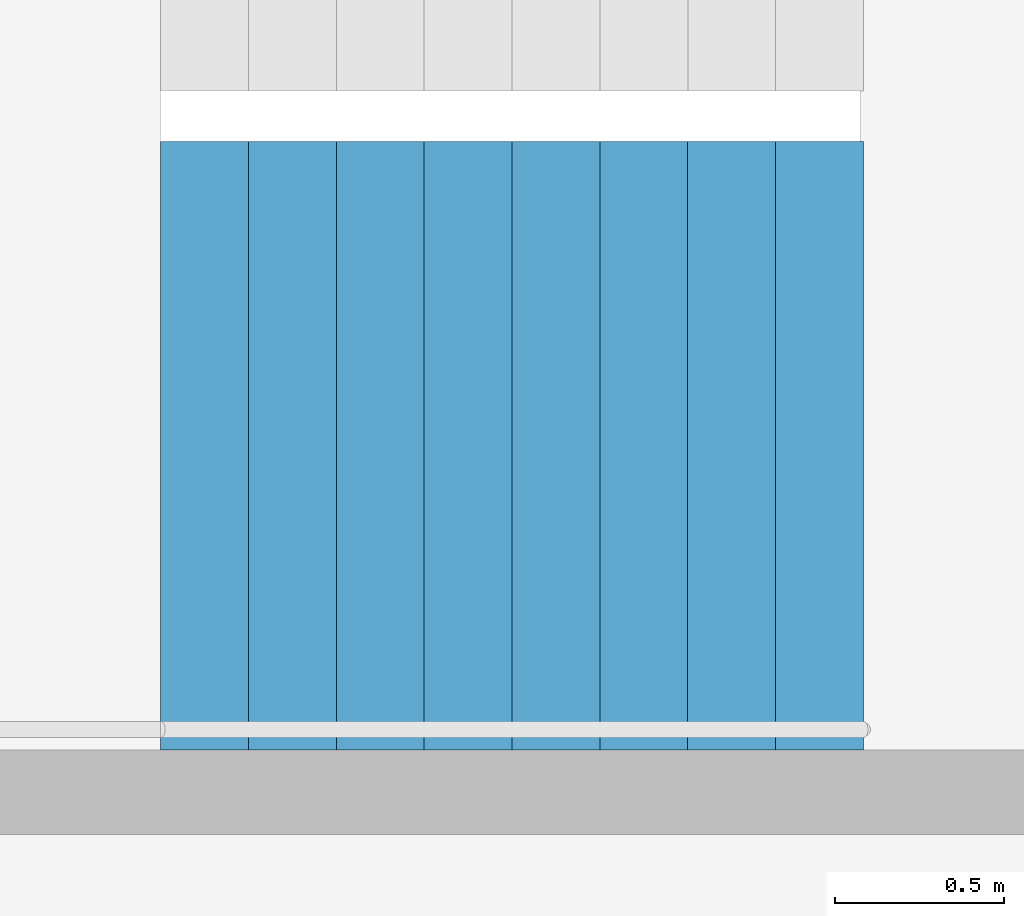
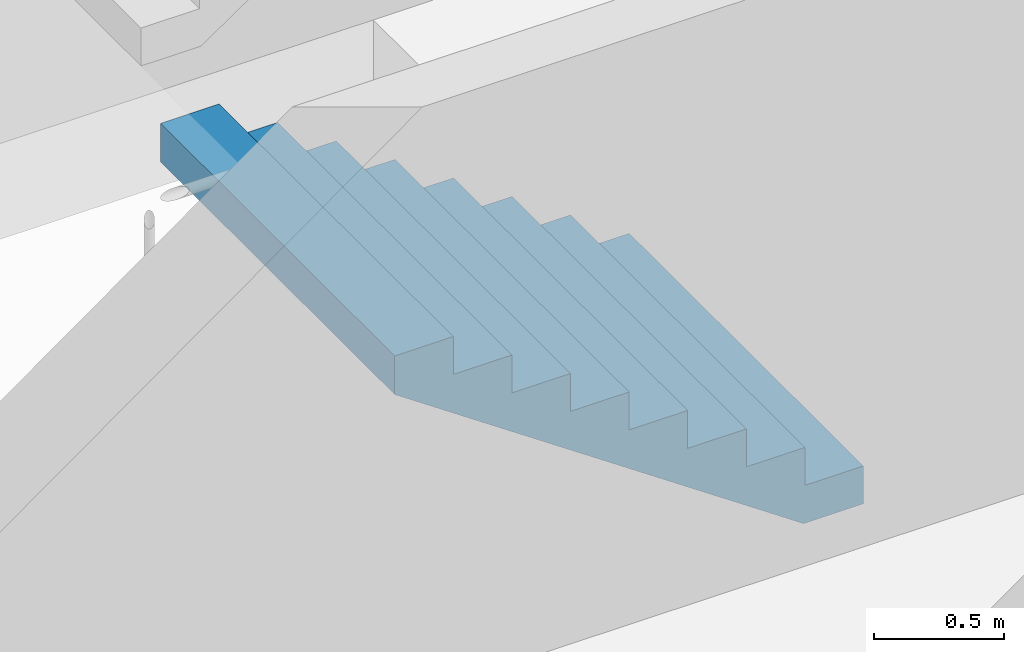
# One storey, part 24 of 26: 1 stair flight, 1 element without a shape of its own.
"""IFC4 building model written with IfcOpenShell, lengths in metres."""

from ifc_helpers import new_model, si_unit, direction, frame, origin, place, context, subcontext, project, spatial, triangles, material, type_object, element, aggregate, save


model = new_model("IFC4")

# Units and contexts
model_context = context("Model", 3, precision=1e-05, world=origin(), true_north=direction((0.0, 1.0)))
body_context = subcontext(model_context, "Body", "Model", "MODEL_VIEW")
ifc_project = project(units=[si_unit("LENGTHUNIT", "METRE"), si_unit("AREAUNIT", "SQUARE_METRE"), si_unit("VOLUMEUNIT", "CUBIC_METRE"), si_unit("PLANEANGLEUNIT", "RADIAN"), si_unit("MASSUNIT", "GRAM", prefix="KILO")], contexts=[model_context])

# Site, building, storey
site_placement = place(None, origin())
site = spatial("IfcSite", under=ifc_project, at=site_placement, CompositionType="ELEMENT")
building_placement = place(site_placement, origin())
building = spatial("IfcBuilding", under=site, at=building_placement, Name="Hakoniwa Tower and Hamabe Station Hall", CompositionType="ELEMENT")
storey_placement = place(building_placement, frame((0.0, 0.0, 199.39990234375)))
storey = spatial("IfcBuildingStorey", under=building, at=storey_placement, Name="L56", CompositionType="ELEMENT", Elevation=199.39990234375)

# Stair, stair flight
ifc_material_1 = material(Name="Concrete C40", Category="concrete")
stair_type = type_object("IfcStairType", Name="ESCAPE STAIR 1800", PredefinedType="HALF_TURN_STAIR", material=ifc_material_1)
stair_placement = place(storey_placement, origin())
stair = element("IfcStair", 1, at=stair_placement, inside=storey, type_object=stair_type, Name="Escape stair ST-3 L56", PredefinedType="HALF_TURN_STAIR")
ifc_material_2 = material(Name="Concrete C40", Category="concrete")
stair_flight_type = type_object("IfcStairFlightType", Name="STAIR FLIGHT 1800", PredefinedType="STRAIGHT", material=ifc_material_2)
stair_flight_placement = place(storey_placement, frame((24.39990234375, 4.64990234375, 0.0), z_axis=(0.0, 0.0, 1.0), x_axis=(-1.0, 0.0, 0.0)))
stair_flight = element("IfcStairFlight", 2, at=stair_flight_placement, type_object=stair_flight_type, Name="ST-3 flight 1", NumberOfRisers=9, NumberOfTreads=8, PredefinedType="STRAIGHT", RiserHeight=0.177777778, TreadLength=0.26, context=body_context, shape_type="Tessellation", body=[
    triangles([(0.0, 0.89990234375, 0.0), (0.260009765625, 0.89990234375, 0.0), (0.265625, 0.89990234375, 0.0), (0.52001953125, 0.89990234375, 0.174072265625), (0.780029296875, 0.89990234375, 0.351806640625), (1.0400390625, 0.89990234375, 0.529541015625), (1.300048828125, 0.89990234375, 0.707275390625), (1.56005859375, 0.89990234375, 0.885009765625), (1.820068359375, 0.89990234375, 1.062744140625), (2.080078125, 0.89990234375, 1.24072265625), (2.080078125, 0.89990234375, 1.422119140625), (1.820068359375, 0.89990234375, 1.422119140625), (1.820068359375, 0.89990234375, 1.244384765625), (1.56005859375, 0.89990234375, 1.244384765625), (1.56005859375, 0.89990234375, 1.066650390625), (1.300048828125, 0.89990234375, 1.066650390625), (1.300048828125, 0.89990234375, 0.888916015625), (1.0400390625, 0.89990234375, 0.888916015625), (1.0400390625, 0.89990234375, 0.711181640625), (0.780029296875, 0.89990234375, 0.711181640625), (0.780029296875, 0.89990234375, 0.533447265625), (0.52001953125, 0.89990234375, 0.533447265625), (0.52001953125, 0.89990234375, 0.35546875), (0.265625, 0.89990234375, 0.35546875), (0.260009765625, 0.89990234375, 0.35546875), (0.260009765625, 0.89990234375, 0.177734375), (0.0, 0.89990234375, 0.177734375), (0.0, 0.06005859375, 0.0), (0.260009765625, 0.06005859375, 0.0), (0.265625, 0.06005859375, 0.0), (0.52001953125, 0.06005859375, 0.174072265625), (0.780029296875, 0.06005859375, 0.351806640625), (1.0400390625, 0.06005859375, 0.529541015625), (1.300048828125, 0.06005859375, 0.707275390625), (1.56005859375, 0.06005859375, 0.885009765625), (1.820068359375, 0.06005859375, 1.062744140625), (2.080078125, 0.06005859375, 1.24072265625), (2.080078125, 0.06005859375, 1.422119140625), (1.820068359375, 0.06005859375, 1.422119140625), (1.820068359375, 0.06005859375, 1.244384765625), (1.56005859375, 0.06005859375, 1.244384765625), (1.56005859375, 0.06005859375, 1.066650390625), (1.300048828125, 0.06005859375, 1.066650390625), (1.300048828125, 0.06005859375, 0.888916015625), (1.0400390625, 0.06005859375, 0.888916015625), (1.0400390625, 0.06005859375, 0.711181640625), (0.780029296875, 0.06005859375, 0.711181640625), (0.780029296875, 0.06005859375, 0.533447265625), (0.52001953125, 0.06005859375, 0.533447265625), (0.52001953125, 0.06005859375, 0.35546875), (0.265625, 0.06005859375, 0.35546875), (0.260009765625, 0.06005859375, 0.35546875), (0.260009765625, 0.06005859375, 0.177734375), (0.0, 0.06005859375, 0.177734375), (0.0, 0.04296875, 0.0), (0.260009765625, 0.04296875, 0.0), (0.265625, 0.04296875, 0.0), (0.52001953125, 0.04296875, 0.174072265625), (0.780029296875, 0.04296875, 0.351806640625), (1.0400390625, 0.04296875, 0.529541015625), (1.300048828125, 0.04296875, 0.707275390625), (1.56005859375, 0.04296875, 0.885009765625), (1.820068359375, 0.04296875, 1.062744140625), (2.080078125, 0.04296875, 1.24072265625), (2.080078125, 0.04296875, 1.422119140625), (1.820068359375, 0.04296875, 1.422119140625), (1.820068359375, 0.04296875, 1.244384765625), (1.56005859375, 0.04296875, 1.244384765625), (1.56005859375, 0.04296875, 1.066650390625), (1.300048828125, 0.04296875, 1.066650390625), (1.300048828125, 0.04296875, 0.888916015625), (1.0400390625, 0.04296875, 0.888916015625), (1.0400390625, 0.04296875, 0.711181640625), (0.780029296875, 0.04296875, 0.711181640625), (0.780029296875, 0.04296875, 0.533447265625), (0.52001953125, 0.04296875, 0.533447265625), (0.52001953125, 0.04296875, 0.35546875), (0.265625, 0.04296875, 0.35546875), (0.260009765625, 0.04296875, 0.35546875), (0.260009765625, 0.04296875, 0.177734375), (0.0, 0.04296875, 0.177734375), (0.0, 0.025634765625, 0.0), (0.260009765625, 0.025634765625, 0.0), (0.265625, 0.025634765625, 0.0), (0.52001953125, 0.025634765625, 0.174072265625), (0.780029296875, 0.025634765625, 0.351806640625), (1.0400390625, 0.025634765625, 0.529541015625), (1.300048828125, 0.025634765625, 0.707275390625), (1.56005859375, 0.025634765625, 0.885009765625), (1.820068359375, 0.025634765625, 1.062744140625), (2.080078125, 0.025634765625, 1.24072265625), (2.080078125, 0.025634765625, 1.422119140625), (1.820068359375, 0.025634765625, 1.422119140625), (1.820068359375, 0.025634765625, 1.244384765625), (1.56005859375, 0.025634765625, 1.244384765625), (1.56005859375, 0.025634765625, 1.066650390625), (1.300048828125, 0.025634765625, 1.066650390625), (1.300048828125, 0.025634765625, 0.888916015625), (1.0400390625, 0.025634765625, 0.888916015625), (1.0400390625, 0.025634765625, 0.711181640625), (0.780029296875, 0.025634765625, 0.711181640625), (0.780029296875, 0.025634765625, 0.533447265625), (0.52001953125, 0.025634765625, 0.533447265625), (0.52001953125, 0.025634765625, 0.35546875), (0.265625, 0.025634765625, 0.35546875), (0.260009765625, 0.025634765625, 0.35546875), (0.260009765625, 0.025634765625, 0.177734375), (0.0, 0.025634765625, 0.177734375), (0.0, 0.008544921875, 0.0), (0.260009765625, 0.008544921875, 0.0), (0.265625, 0.008544921875, 0.0), (0.52001953125, 0.008544921875, 0.174072265625), (0.780029296875, 0.008544921875, 0.351806640625), (1.0400390625, 0.008544921875, 0.529541015625), (1.300048828125, 0.008544921875, 0.707275390625), (1.56005859375, 0.008544921875, 0.885009765625), (1.820068359375, 0.008544921875, 1.062744140625), (2.080078125, 0.008544921875, 1.24072265625), (2.080078125, 0.008544921875, 1.422119140625), (1.820068359375, 0.008544921875, 1.422119140625), (1.820068359375, 0.008544921875, 1.244384765625), (1.56005859375, 0.008544921875, 1.244384765625), (1.56005859375, 0.008544921875, 1.066650390625), (1.300048828125, 0.008544921875, 1.066650390625), (1.300048828125, 0.008544921875, 0.888916015625), (1.0400390625, 0.008544921875, 0.888916015625), (1.0400390625, 0.008544921875, 0.711181640625), (0.780029296875, 0.008544921875, 0.711181640625), (0.780029296875, 0.008544921875, 0.533447265625), (0.52001953125, 0.008544921875, 0.533447265625), (0.52001953125, 0.008544921875, 0.35546875), (0.265625, 0.008544921875, 0.35546875), (0.260009765625, 0.008544921875, 0.35546875), (0.260009765625, 0.008544921875, 0.177734375), (0.0, 0.008544921875, 0.177734375), (0.0, -0.008544921875, 0.0), (0.260009765625, -0.008544921875, 0.0), (0.265625, -0.008544921875, 0.0), (0.52001953125, -0.008544921875, 0.174072265625), (0.780029296875, -0.008544921875, 0.351806640625), (1.0400390625, -0.008544921875, 0.529541015625), (1.300048828125, -0.008544921875, 0.707275390625), (1.56005859375, -0.008544921875, 0.885009765625), (1.820068359375, -0.008544921875, 1.062744140625), (2.080078125, -0.008544921875, 1.24072265625), (2.080078125, -0.008544921875, 1.422119140625), (1.820068359375, -0.008544921875, 1.422119140625), (1.820068359375, -0.008544921875, 1.244384765625), (1.56005859375, -0.008544921875, 1.244384765625), (1.56005859375, -0.008544921875, 1.066650390625), (1.300048828125, -0.008544921875, 1.066650390625), (1.300048828125, -0.008544921875, 0.888916015625), (1.0400390625, -0.008544921875, 0.888916015625), (1.0400390625, -0.008544921875, 0.711181640625), (0.780029296875, -0.008544921875, 0.711181640625), (0.780029296875, -0.008544921875, 0.533447265625), (0.52001953125, -0.008544921875, 0.533447265625), (0.52001953125, -0.008544921875, 0.35546875), (0.265625, -0.008544921875, 0.35546875), (0.260009765625, -0.008544921875, 0.35546875), (0.260009765625, -0.008544921875, 0.177734375), (0.0, -0.008544921875, 0.177734375), (0.0, -0.025634765625, 0.0), (0.260009765625, -0.025634765625, 0.0), (0.265625, -0.025634765625, 0.0), (0.52001953125, -0.025634765625, 0.174072265625), (0.780029296875, -0.025634765625, 0.351806640625), (1.0400390625, -0.025634765625, 0.529541015625), (1.300048828125, -0.025634765625, 0.707275390625), (1.56005859375, -0.025634765625, 0.885009765625), (1.820068359375, -0.025634765625, 1.062744140625), (2.080078125, -0.025634765625, 1.24072265625), (2.080078125, -0.025634765625, 1.422119140625), (1.820068359375, -0.025634765625, 1.422119140625), (1.820068359375, -0.025634765625, 1.244384765625), (1.56005859375, -0.025634765625, 1.244384765625), (1.56005859375, -0.025634765625, 1.066650390625), (1.300048828125, -0.025634765625, 1.066650390625), (1.300048828125, -0.025634765625, 0.888916015625), (1.0400390625, -0.025634765625, 0.888916015625), (1.0400390625, -0.025634765625, 0.711181640625), (0.780029296875, -0.025634765625, 0.711181640625), (0.780029296875, -0.025634765625, 0.533447265625), (0.52001953125, -0.025634765625, 0.533447265625), (0.52001953125, -0.025634765625, 0.35546875), (0.265625, -0.025634765625, 0.35546875), (0.260009765625, -0.025634765625, 0.35546875), (0.260009765625, -0.025634765625, 0.177734375), (0.0, -0.025634765625, 0.177734375), (0.0, -0.04296875, 0.0), (0.260009765625, -0.04296875, 0.0), (0.265625, -0.04296875, 0.0), (0.52001953125, -0.04296875, 0.174072265625), (0.780029296875, -0.04296875, 0.351806640625), (1.0400390625, -0.04296875, 0.529541015625), (1.300048828125, -0.04296875, 0.707275390625), (1.56005859375, -0.04296875, 0.885009765625), (1.820068359375, -0.04296875, 1.062744140625), (2.080078125, -0.04296875, 1.24072265625), (2.080078125, -0.04296875, 1.422119140625), (1.820068359375, -0.04296875, 1.422119140625), (1.820068359375, -0.04296875, 1.244384765625), (1.56005859375, -0.04296875, 1.244384765625), (1.56005859375, -0.04296875, 1.066650390625), (1.300048828125, -0.04296875, 1.066650390625), (1.300048828125, -0.04296875, 0.888916015625), (1.0400390625, -0.04296875, 0.888916015625), (1.0400390625, -0.04296875, 0.711181640625), (0.780029296875, -0.04296875, 0.711181640625), (0.780029296875, -0.04296875, 0.533447265625), (0.52001953125, -0.04296875, 0.533447265625), (0.52001953125, -0.04296875, 0.35546875), (0.265625, -0.04296875, 0.35546875), (0.260009765625, -0.04296875, 0.35546875), (0.260009765625, -0.04296875, 0.177734375), (0.0, -0.04296875, 0.177734375), (0.0, -0.06005859375, 0.0), (0.260009765625, -0.06005859375, 0.0), (0.265625, -0.06005859375, 0.0), (0.52001953125, -0.06005859375, 0.174072265625), (0.780029296875, -0.06005859375, 0.351806640625), (1.0400390625, -0.06005859375, 0.529541015625), (1.300048828125, -0.06005859375, 0.707275390625), (1.56005859375, -0.06005859375, 0.885009765625), (1.820068359375, -0.06005859375, 1.062744140625), (2.080078125, -0.06005859375, 1.24072265625), (2.080078125, -0.06005859375, 1.422119140625), (1.820068359375, -0.06005859375, 1.422119140625), (1.820068359375, -0.06005859375, 1.244384765625), (1.56005859375, -0.06005859375, 1.244384765625), (1.56005859375, -0.06005859375, 1.066650390625), (1.300048828125, -0.06005859375, 1.066650390625), (1.300048828125, -0.06005859375, 0.888916015625), (1.0400390625, -0.06005859375, 0.888916015625), (1.0400390625, -0.06005859375, 0.711181640625), (0.780029296875, -0.06005859375, 0.711181640625), (0.780029296875, -0.06005859375, 0.533447265625), (0.52001953125, -0.06005859375, 0.533447265625), (0.52001953125, -0.06005859375, 0.35546875), (0.265625, -0.06005859375, 0.35546875), (0.260009765625, -0.06005859375, 0.35546875), (0.260009765625, -0.06005859375, 0.177734375), (0.0, -0.06005859375, 0.177734375), (0.0, -0.89990234375, 0.0), (0.260009765625, -0.89990234375, 0.0), (0.265625, -0.89990234375, 0.0), (0.52001953125, -0.89990234375, 0.174072265625), (0.780029296875, -0.89990234375, 0.351806640625), (1.0400390625, -0.89990234375, 0.529541015625), (1.300048828125, -0.89990234375, 0.707275390625), (1.56005859375, -0.89990234375, 0.885009765625), (1.820068359375, -0.89990234375, 1.062744140625), (2.080078125, -0.89990234375, 1.24072265625), (2.080078125, -0.89990234375, 1.422119140625), (1.820068359375, -0.89990234375, 1.422119140625), (1.820068359375, -0.89990234375, 1.244384765625), (1.56005859375, -0.89990234375, 1.244384765625), (1.56005859375, -0.89990234375, 1.066650390625), (1.300048828125, -0.89990234375, 1.066650390625), (1.300048828125, -0.89990234375, 0.888916015625), (1.0400390625, -0.89990234375, 0.888916015625), (1.0400390625, -0.89990234375, 0.711181640625), (0.780029296875, -0.89990234375, 0.711181640625), (0.780029296875, -0.89990234375, 0.533447265625), (0.52001953125, -0.89990234375, 0.533447265625), (0.52001953125, -0.89990234375, 0.35546875), (0.265625, -0.89990234375, 0.35546875), (0.260009765625, -0.89990234375, 0.35546875), (0.260009765625, -0.89990234375, 0.177734375), (0.0, -0.89990234375, 0.177734375)], [[2, 27, 26], [245, 269, 270], [2, 1, 27], [245, 270, 244], [3, 25, 24], [246, 267, 268], [3, 26, 25], [246, 268, 269], [3, 2, 26], [246, 269, 245], [4, 24, 23], [247, 266, 267], [4, 3, 24], [247, 267, 246], [5, 22, 21], [248, 264, 265], [5, 23, 22], [248, 265, 266], [5, 4, 23], [248, 266, 247], [6, 20, 19], [249, 262, 263], [6, 21, 20], [249, 263, 264], [6, 5, 21], [249, 264, 248], [7, 18, 17], [250, 260, 261], [7, 19, 18], [250, 261, 262], [7, 6, 19], [250, 262, 249], [8, 16, 15], [251, 258, 259], [8, 17, 16], [251, 259, 260], [8, 7, 17], [251, 260, 250], [9, 14, 13], [252, 256, 257], [9, 15, 14], [252, 257, 258], [9, 8, 15], [252, 258, 251], [10, 12, 11], [253, 254, 255], [10, 13, 12], [253, 255, 256], [10, 9, 13], [253, 256, 252], [1, 2, 29], [1, 29, 28], [28, 29, 56], [28, 56, 55], [55, 56, 83], [55, 83, 82], [82, 83, 110], [82, 110, 109], [109, 110, 137], [109, 137, 136], [136, 137, 164], [136, 164, 163], [163, 164, 191], [163, 191, 190], [190, 191, 218], [190, 218, 217], [217, 218, 245], [217, 245, 244], [2, 3, 30], [2, 30, 29], [29, 30, 57], [29, 57, 56], [56, 57, 84], [56, 84, 83], [83, 84, 111], [83, 111, 110], [110, 111, 138], [110, 138, 137], [137, 138, 165], [137, 165, 164], [164, 165, 192], [164, 192, 191], [191, 192, 219], [191, 219, 218], [218, 219, 246], [218, 246, 245], [3, 4, 31], [3, 31, 30], [30, 31, 58], [30, 58, 57], [57, 58, 85], [57, 85, 84], [84, 85, 112], [84, 112, 111], [111, 112, 139], [111, 139, 138], [138, 139, 166], [138, 166, 165], [165, 166, 193], [165, 193, 192], [192, 193, 220], [192, 220, 219], [219, 220, 247], [219, 247, 246], [4, 5, 32], [4, 32, 31], [31, 32, 59], [31, 59, 58], [58, 59, 86], [58, 86, 85], [85, 86, 113], [85, 113, 112], [112, 113, 140], [112, 140, 139], [139, 140, 167], [139, 167, 166], [166, 167, 194], [166, 194, 193], [193, 194, 221], [193, 221, 220], [220, 221, 248], [220, 248, 247], [5, 6, 33], [5, 33, 32], [32, 33, 60], [32, 60, 59], [59, 60, 87], [59, 87, 86], [86, 87, 114], [86, 114, 113], [113, 114, 141], [113, 141, 140], [140, 141, 168], [140, 168, 167], [167, 168, 195], [167, 195, 194], [194, 195, 222], [194, 222, 221], [221, 222, 249], [221, 249, 248], [6, 7, 34], [6, 34, 33], [33, 34, 61], [33, 61, 60], [60, 61, 88], [60, 88, 87], [87, 88, 115], [87, 115, 114], [114, 115, 142], [114, 142, 141], [141, 142, 169], [141, 169, 168], [168, 169, 196], [168, 196, 195], [195, 196, 223], [195, 223, 222], [222, 223, 250], [222, 250, 249], [7, 8, 35], [7, 35, 34], [34, 35, 62], [34, 62, 61], [61, 62, 89], [61, 89, 88], [88, 89, 116], [88, 116, 115], [115, 116, 143], [115, 143, 142], [142, 143, 170], [142, 170, 169], [169, 170, 197], [169, 197, 196], [196, 197, 224], [196, 224, 223], [223, 224, 251], [223, 251, 250], [8, 9, 36], [8, 36, 35], [35, 36, 63], [35, 63, 62], [62, 63, 90], [62, 90, 89], [89, 90, 117], [89, 117, 116], [116, 117, 144], [116, 144, 143], [143, 144, 171], [143, 171, 170], [170, 171, 198], [170, 198, 197], [197, 198, 225], [197, 225, 224], [224, 225, 252], [224, 252, 251], [9, 10, 37], [9, 37, 36], [36, 37, 64], [36, 64, 63], [63, 64, 91], [63, 91, 90], [90, 91, 118], [90, 118, 117], [117, 118, 145], [117, 145, 144], [144, 145, 172], [144, 172, 171], [171, 172, 199], [171, 199, 198], [198, 199, 226], [198, 226, 225], [225, 226, 253], [225, 253, 252], [10, 11, 38], [10, 38, 37], [37, 38, 65], [37, 65, 64], [64, 65, 92], [64, 92, 91], [91, 92, 119], [91, 119, 118], [118, 119, 146], [118, 146, 145], [145, 146, 173], [145, 173, 172], [172, 173, 200], [172, 200, 199], [199, 200, 227], [199, 227, 226], [226, 227, 254], [226, 254, 253], [11, 12, 39], [11, 39, 38], [38, 39, 66], [38, 66, 65], [65, 66, 93], [65, 93, 92], [92, 93, 120], [92, 120, 119], [119, 120, 147], [119, 147, 146], [146, 147, 174], [146, 174, 173], [173, 174, 201], [173, 201, 200], [200, 201, 228], [200, 228, 227], [227, 228, 255], [227, 255, 254], [12, 13, 40], [12, 40, 39], [39, 40, 67], [39, 67, 66], [66, 67, 94], [66, 94, 93], [93, 94, 121], [93, 121, 120], [120, 121, 148], [120, 148, 147], [147, 148, 175], [147, 175, 174], [174, 175, 202], [174, 202, 201], [201, 202, 229], [201, 229, 228], [228, 229, 256], [228, 256, 255], [13, 14, 41], [13, 41, 40], [40, 41, 68], [40, 68, 67], [67, 68, 95], [67, 95, 94], [94, 95, 122], [94, 122, 121], [121, 122, 149], [121, 149, 148], [148, 149, 176], [148, 176, 175], [175, 176, 203], [175, 203, 202], [202, 203, 230], [202, 230, 229], [229, 230, 257], [229, 257, 256], [14, 15, 42], [14, 42, 41], [41, 42, 69], [41, 69, 68], [68, 69, 96], [68, 96, 95], [95, 96, 123], [95, 123, 122], [122, 123, 150], [122, 150, 149], [149, 150, 177], [149, 177, 176], [176, 177, 204], [176, 204, 203], [203, 204, 231], [203, 231, 230], [230, 231, 258], [230, 258, 257], [15, 16, 43], [15, 43, 42], [42, 43, 70], [42, 70, 69], [69, 70, 97], [69, 97, 96], [96, 97, 124], [96, 124, 123], [123, 124, 151], [123, 151, 150], [150, 151, 178], [150, 178, 177], [177, 178, 205], [177, 205, 204], [204, 205, 232], [204, 232, 231], [231, 232, 259], [231, 259, 258], [16, 17, 44], [16, 44, 43], [43, 44, 71], [43, 71, 70], [70, 71, 98], [70, 98, 97], [97, 98, 125], [97, 125, 124], [124, 125, 152], [124, 152, 151], [151, 152, 179], [151, 179, 178], [178, 179, 206], [178, 206, 205], [205, 206, 233], [205, 233, 232], [232, 233, 260], [232, 260, 259], [17, 18, 45], [17, 45, 44], [44, 45, 72], [44, 72, 71], [71, 72, 99], [71, 99, 98], [98, 99, 126], [98, 126, 125], [125, 126, 153], [125, 153, 152], [152, 153, 180], [152, 180, 179], [179, 180, 207], [179, 207, 206], [206, 207, 234], [206, 234, 233], [233, 234, 261], [233, 261, 260], [18, 19, 46], [18, 46, 45], [45, 46, 73], [45, 73, 72], [72, 73, 100], [72, 100, 99], [99, 100, 127], [99, 127, 126], [126, 127, 154], [126, 154, 153], [153, 154, 181], [153, 181, 180], [180, 181, 208], [180, 208, 207], [207, 208, 235], [207, 235, 234], [234, 235, 262], [234, 262, 261], [19, 20, 47], [19, 47, 46], [46, 47, 74], [46, 74, 73], [73, 74, 101], [73, 101, 100], [100, 101, 128], [100, 128, 127], [127, 128, 155], [127, 155, 154], [154, 155, 182], [154, 182, 181], [181, 182, 209], [181, 209, 208], [208, 209, 236], [208, 236, 235], [235, 236, 263], [235, 263, 262], [20, 21, 48], [20, 48, 47], [47, 48, 75], [47, 75, 74], [74, 75, 102], [74, 102, 101], [101, 102, 129], [101, 129, 128], [128, 129, 156], [128, 156, 155], [155, 156, 183], [155, 183, 182], [182, 183, 210], [182, 210, 209], [209, 210, 237], [209, 237, 236], [236, 237, 264], [236, 264, 263], [21, 22, 49], [21, 49, 48], [48, 49, 76], [48, 76, 75], [75, 76, 103], [75, 103, 102], [102, 103, 130], [102, 130, 129], [129, 130, 157], [129, 157, 156], [156, 157, 184], [156, 184, 183], [183, 184, 211], [183, 211, 210], [210, 211, 238], [210, 238, 237], [237, 238, 265], [237, 265, 264], [22, 23, 50], [22, 50, 49], [49, 50, 77], [49, 77, 76], [76, 77, 104], [76, 104, 103], [103, 104, 131], [103, 131, 130], [130, 131, 158], [130, 158, 157], [157, 158, 185], [157, 185, 184], [184, 185, 212], [184, 212, 211], [211, 212, 239], [211, 239, 238], [238, 239, 266], [238, 266, 265], [23, 24, 51], [23, 51, 50], [50, 51, 78], [50, 78, 77], [77, 78, 105], [77, 105, 104], [104, 105, 132], [104, 132, 131], [131, 132, 159], [131, 159, 158], [158, 159, 186], [158, 186, 185], [185, 186, 213], [185, 213, 212], [212, 213, 240], [212, 240, 239], [239, 240, 267], [239, 267, 266], [24, 25, 52], [24, 52, 51], [51, 52, 79], [51, 79, 78], [78, 79, 106], [78, 106, 105], [105, 106, 133], [105, 133, 132], [132, 133, 160], [132, 160, 159], [159, 160, 187], [159, 187, 186], [186, 187, 214], [186, 214, 213], [213, 214, 241], [213, 241, 240], [240, 241, 268], [240, 268, 267], [25, 26, 53], [25, 53, 52], [52, 53, 80], [52, 80, 79], [79, 80, 107], [79, 107, 106], [106, 107, 134], [106, 134, 133], [133, 134, 161], [133, 161, 160], [160, 161, 188], [160, 188, 187], [187, 188, 215], [187, 215, 214], [214, 215, 242], [214, 242, 241], [241, 242, 269], [241, 269, 268], [26, 27, 54], [26, 54, 53], [53, 54, 81], [53, 81, 80], [80, 81, 108], [80, 108, 107], [107, 108, 135], [107, 135, 134], [134, 135, 162], [134, 162, 161], [161, 162, 189], [161, 189, 188], [188, 189, 216], [188, 216, 215], [215, 216, 243], [215, 243, 242], [242, 243, 270], [242, 270, 269], [27, 1, 28], [27, 28, 54], [54, 28, 55], [54, 55, 81], [81, 55, 82], [81, 82, 108], [108, 82, 109], [108, 109, 135], [135, 109, 136], [135, 136, 162], [162, 136, 163], [162, 163, 189], [189, 163, 190], [189, 190, 216], [216, 190, 217], [216, 217, 243], [243, 217, 244], [243, 244, 270]], closed=True),
])
aggregate(stair, [stair_flight])

save(model, "model.ifc")
